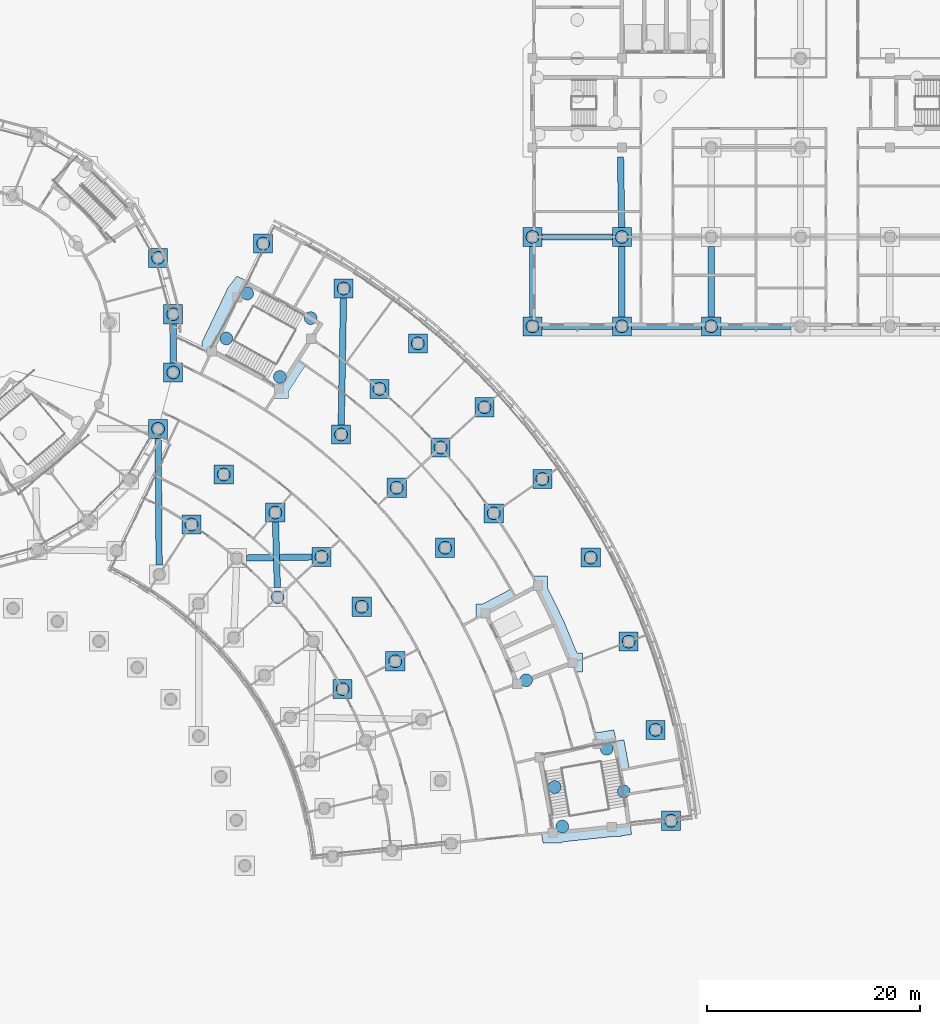
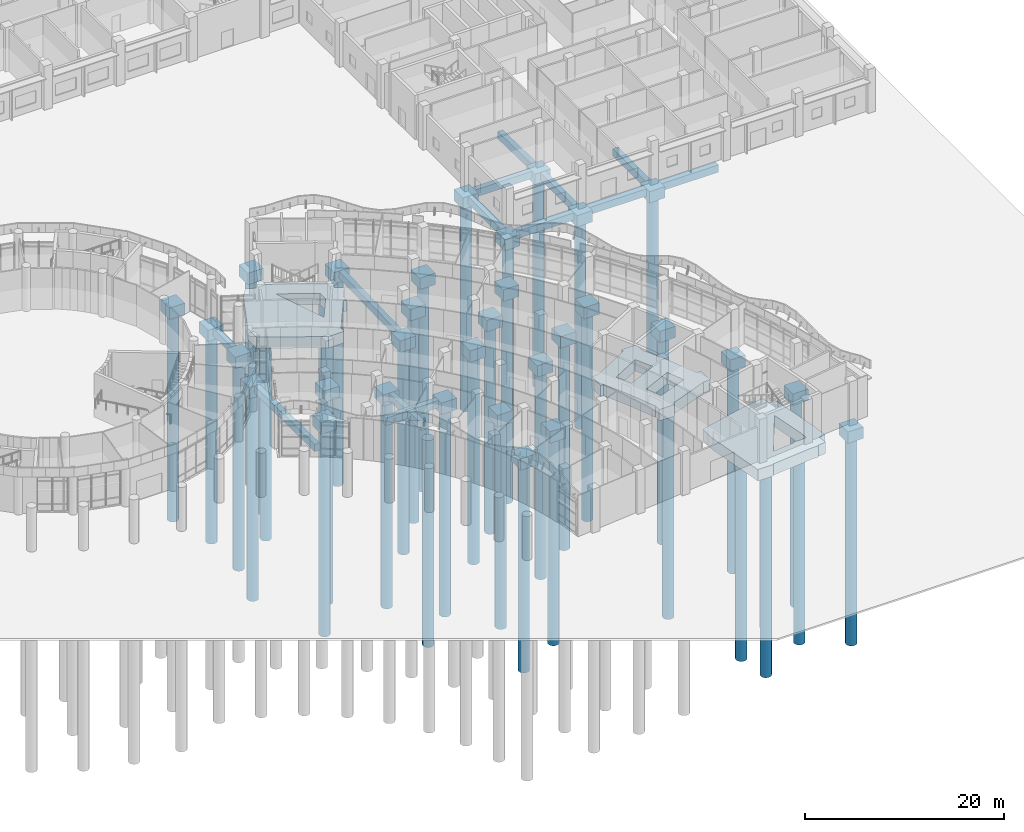
# One storey, part 7 of 146: 47 footings, 41 piles.
"""IFC4 building model written with IfcOpenShell, lengths in metres."""

import ifcopenshell
import ifcopenshell.guid

model = None  # the IFC model being written
_history = None  # IfcOwnerHistory: only IFC2X3 demands one
_inside = {}  # id of a spatial element -> (the spatial element, [elements in it])
_under = {}  # id of a project, library or spatial element -> (it, [spatial elements below it])
_declared = {}  # id of a project -> (the project, [libraries it declares])
_typed = {}  # id of a type object -> (the type object, [elements of that type])
_made_of = {}  # id of a material, layer set ... -> (it, [elements and type objects made of it])


def new_model(schema):
    """Start an empty IFC model of exactly this schema.

    Asked for "IFC4X3", IfcOpenShell would pick the latest addendum, in which some entities
    have other attributes; the version numbers below select the first issue.
    IFC2X3 requires an IfcOwnerHistory on every rooted entity: one is made here for all.
    """
    global model, _history
    if schema == "IFC4X3":
        model = ifcopenshell.file(schema_version=(4, 3, 0, 0))
    else:
        model = ifcopenshell.file(schema=schema)
    _inside.clear()
    _under.clear()
    _declared.clear()
    _typed.clear()
    _made_of.clear()
    _history = None
    if model.schema == "IFC2X3":
        org = make("IfcOrganization", Name="unknown")
        user = make(
            "IfcPersonAndOrganization",
            ThePerson=make("IfcPerson", FamilyName="unknown"),
            TheOrganization=org,
        )
        app = make(
            "IfcApplication",
            ApplicationDeveloper=org,
            Version="unknown",
            ApplicationFullName="unknown",
            ApplicationIdentifier="unknown",
        )
        _history = make(
            "IfcOwnerHistory",
            OwningUser=user,
            OwningApplication=app,
            ChangeAction="ADDED",
            CreationDate=0,
        )
    return model


def make(cls, **values):
    """One entity of the class cls with the attributes given. An attribute that is None is left unset."""
    return model.create_entity(
        cls, **{name: value for name, value in values.items() if value is not None}
    )


def rooted(cls, **values):
    """An entity with a GlobalId (a new one), such as an element, a storey or a relation."""
    return make(cls, GlobalId=ifcopenshell.guid.new(), OwnerHistory=_history, **values)


def si_unit(unit_type, name, prefix=None):
    """IfcSIUnit, for example si_unit("LENGTHUNIT", "METRE", prefix="MILLI")."""
    return make("IfcSIUnit", UnitType=unit_type, Prefix=prefix, Name=name)


def assignment(units):
    """IfcUnitAssignment: the units of a project."""
    return None if units is None else make("IfcUnitAssignment", Units=units)


def point(xyz):
    """IfcCartesianPoint."""
    return None if xyz is None else make("IfcCartesianPoint", Coordinates=xyz)


def direction(xyz):
    """IfcDirection."""
    return None if xyz is None else make("IfcDirection", DirectionRatios=xyz)


def frame(location, z_axis=None, x_axis=None):
    """IfcAxis2Placement3D, a coordinate frame: its origin and axes. An axis left out is left unset."""
    return make(
        "IfcAxis2Placement3D",
        Location=point(location),
        Axis=direction(z_axis),
        RefDirection=direction(x_axis),
    )


def frame_2d(location, x_axis=None):
    """IfcAxis2Placement2D, a coordinate frame in the plane: its origin and x axis."""
    return make(
        "IfcAxis2Placement2D", Location=point(location), RefDirection=direction(x_axis)
    )


def origin():
    """The frame at (0, 0, 0) with its axes left unset."""
    return frame((0.0, 0.0, 0.0))


def origin_2d():
    """The frame at (0, 0) in the plane with its x axis left unset."""
    return frame_2d((0.0, 0.0))


def place(relative_to, where):
    """IfcLocalPlacement: puts the frame where relative to a parent placement (None: the world)."""
    return make(
        "IfcLocalPlacement", PlacementRelTo=relative_to, RelativePlacement=where
    )


def context(
    kind, dimensions, precision=None, world=None, true_north=None, identifier=None
):
    """IfcGeometricRepresentationContext, for example the 3D "Model" context."""
    return make(
        "IfcGeometricRepresentationContext",
        ContextIdentifier=identifier,
        ContextType=kind,
        CoordinateSpaceDimension=dimensions,
        Precision=precision,
        WorldCoordinateSystem=world,
        TrueNorth=true_north,
    )


def subcontext(parent, identifier, kind, view, scale=None):
    """IfcGeometricRepresentationSubContext, for example "Body" below "Model"."""
    return make(
        "IfcGeometricRepresentationSubContext",
        ContextIdentifier=identifier,
        ContextType=kind,
        ParentContext=parent,
        TargetScale=scale,
        TargetView=view,
    )


def project(units=None, contexts=None):
    """IfcProject with its units and contexts."""
    return rooted(
        "IfcProject",
        Name="project",
        RepresentationContexts=contexts,
        UnitsInContext=assignment(units),
    )


def spatial(cls, under=None, at=None, **own):
    """A site, building, storey or space (cls), placed at a placement, below another one or the project."""
    s = rooted(cls, ObjectPlacement=at, **own)
    if under is not None:
        _under.setdefault(under.id(), (under, []))[1].append(s)
    return s


def polyline(points):
    """IfcPolyline through the points."""
    return make("IfcPolyline", Points=[point(p) for p in points])


def profile(cls, at=None, kind="AREA", **sizes):
    """A parametric profile (cls). Its sizes go by their IFC names, for example OverallWidth=200.0."""
    return make(cls, ProfileType=kind, Position=at, **sizes)


def rectangle(**sizes):
    """IfcRectangleProfileDef."""
    return profile("IfcRectangleProfileDef", **sizes)


def circle(**sizes):
    """IfcCircleProfileDef."""
    return profile("IfcCircleProfileDef", **sizes)


def outline(outer, holes=None, kind="AREA"):
    """IfcArbitraryClosedProfileDef: a profile drawn as a closed curve; with holes, ...WithVoids."""
    if holes is None:
        return make("IfcArbitraryClosedProfileDef", ProfileType=kind, OuterCurve=outer)
    return make(
        "IfcArbitraryProfileDefWithVoids",
        ProfileType=kind,
        OuterCurve=outer,
        InnerCurves=holes,
    )


def extrude(swept, where, along, depth):
    """IfcExtrudedAreaSolid: the profile swept, set in the frame where, extruded along a direction by depth."""
    return make(
        "IfcExtrudedAreaSolid",
        SweptArea=swept,
        Position=where,
        ExtrudedDirection=direction(along),
        Depth=depth,
    )


def shape(context_of_items, identifier, shape_type, items):
    """IfcShapeRepresentation: the items that make up one representation, for example the "Body"."""
    return make(
        "IfcShapeRepresentation",
        ContextOfItems=context_of_items,
        RepresentationIdentifier=identifier,
        RepresentationType=shape_type,
        Items=items,
    )


def material(Name=None, Category=None):
    """IfcMaterial."""
    return make("IfcMaterial", Name=Name, Category=Category)


def material_profile(
    of_material, cross_section, Name=None, Category=None, Priority=None
):
    """IfcMaterialProfile: a cross section and its material."""
    return make(
        "IfcMaterialProfile",
        Name=Name,
        Material=of_material,
        Profile=cross_section,
        Priority=Priority,
        Category=Category,
    )


def profile_set(profiles, Name=None, composite=None):
    """IfcMaterialProfileSet."""
    return make(
        "IfcMaterialProfileSet",
        Name=Name,
        MaterialProfiles=profiles,
        CompositeProfile=composite,
    )


def made_of(thing, what):
    """Note that an element or type object is made of a material, layer set ...; save() writes the relation."""
    if what is not None:
        _made_of.setdefault(what.id(), (what, []))[1].append(thing)
    return thing


def type_object(cls, material=None, **own):
    """A type object (cls), such as IfcWallType, which elements share."""
    return made_of(rooted(cls, **own), material)


def element(
    cls,
    number,
    at=None,
    inside=None,
    cuts=None,
    type_object=None,
    material=None,
    context=None,
    identifier="Body",
    shape_type=None,
    held_by="IfcProductDefinitionShape",
    body=None,
    shapes=None,
    **own,
):
    """One element of the class cls, such as IfcWall. Its Tag is "e" and its number.

    at: its placement. inside: the storey or other place that contains it. cuts: it is an
    opening in that element (IfcRelVoidsElement). A single representation is given by context,
    identifier, shape_type and body (its items); several are given by shapes. held_by: the class
    of the entity that holds the representations. save() writes the other relations.
    """
    e = rooted(cls, Tag="e%d" % number, ObjectPlacement=at, **own)
    if body is not None:
        shapes = [shape(context, identifier, shape_type, body)]
    if shapes is not None:
        e.Representation = make(held_by, Representations=shapes)
    if inside is not None:
        _inside.setdefault(inside.id(), (inside, []))[1].append(e)
    if cuts is not None:
        rooted(
            "IfcRelVoidsElement", RelatingBuildingElement=cuts, RelatedOpeningElement=e
        )
    if type_object is not None:
        _typed.setdefault(type_object.id(), (type_object, []))[1].append(e)
    return made_of(e, material)


def aggregate(whole, parts):
    """IfcRelAggregates: a whole, such as a stair, and the parts it consists of."""
    return rooted("IfcRelAggregates", RelatingObject=whole, RelatedObjects=parts)


def save(model, path):
    """Write the relations noted so far, then the file.

    IfcRelAggregates (storeys below a building ...), IfcRelContainedInSpatialStructure (elements
    in a storey), IfcRelDefinesByType, IfcRelAssociatesMaterial and IfcRelDeclares: one each for
    every whole, place, type object, material and project.
    """
    for whole, parts in _under.values():
        aggregate(whole, parts)
    for where, things in _inside.values():
        rooted(
            "IfcRelContainedInSpatialStructure",
            RelatedElements=things,
            RelatingStructure=where,
        )
    for kind, things in _typed.values():
        rooted("IfcRelDefinesByType", RelatedObjects=things, RelatingType=kind)
    for what, things in _made_of.values():
        rooted("IfcRelAssociatesMaterial", RelatedObjects=things, RelatingMaterial=what)
    for by, libraries in _declared.values():
        rooted("IfcRelDeclares", RelatingContext=by, RelatedDefinitions=libraries)
    model.write(path)


model = new_model("IFC4")

# Units and contexts
model_context = context("Model", 3, precision=1e-05, world=origin(), true_north=direction((0.0, 1.0)))
body_context = subcontext(model_context, "Body", "Model", "MODEL_VIEW")
ifc_project = project(units=[si_unit("LENGTHUNIT", "METRE"), si_unit("AREAUNIT", "SQUARE_METRE"), si_unit("VOLUMEUNIT", "CUBIC_METRE"), si_unit("PLANEANGLEUNIT", "RADIAN"), si_unit("MASSUNIT", "GRAM", prefix="KILO")], contexts=[model_context])

# Site, building, storey
site_placement = place(None, origin())
site = spatial("IfcSite", under=ifc_project, at=site_placement, CompositionType="ELEMENT")
building_placement = place(site_placement, origin())
building = spatial("IfcBuilding", under=site, at=building_placement, Name="Bougainvillea Quay General Hospital", CompositionType="ELEMENT")
storey_placement = place(building_placement, origin())
storey = spatial("IfcBuildingStorey", under=building, at=storey_placement, Name="L00", CompositionType="ELEMENT", Elevation=0.0)

# Piles
ifc_material_1 = material(Name="Concrete C40", Category="concrete")
ifc_material_profile_1 = material_profile(ifc_material_1, circle(Radius=0.60009765625, at=origin_2d()))
ifc_profile_set_1 = profile_set([ifc_material_profile_1], Name="Concrete C40")
pile_type = type_object("IfcPileType", Name="BORED PILE D1200 C40", PredefinedType="BORED", material=ifc_profile_set_1)
for number, where, z_axis, x_axis, name in (
    (1, (176.826904296875, 29.113037109375, -1.60009765625), (0.0, 0.0, -1.0), (1.0, 0.0, 0.0), "Bored pile 005-01"),
    (2, (166.599365234375, 28.573974609375, -1.60009765625), (0.0, 0.0, -1.0), (1.0, 0.0, 0.0), "Bored pile 009-01"),
    (3, (172.386962890625, 31.87841796875, -1.60009765625), (0.0, 0.0, -1.0), (1.0, 0.0, 0.0), "Bored pile 009-02"),
    (4, (165.885009765625, 32.2890625, -1.60009765625), (0.0, 0.0, -1.0), (1.0, 0.0, 0.0), "Bored pile 009-03"),
    (5, (170.775390625, 35.883056640625, -1.60009765625), (0.0, 0.0, -1.0), (1.0, 0.0, 0.0), "Bored pile 009-04"),
    (6, (175.3720703125, 37.662109375, -1.60009765625), (0.0, 0.0, -1.0), (1.0, 0.0, 0.0), "Bored pile 021-01"),
    (7, (145.950927734375, 41.491943359375, -1.60009765625), (0.0, 0.0, -1.0), (1.0, 0.0, 0.0), "Bored pile 025-01"),
    (8, (150.89794921875, 44.114990234375, -1.60009765625), (0.0, 0.0, -1.0), (1.0, 0.0, 0.0), "Bored pile 034-01"),
    (9, (172.840087890625, 45.9560546875, -1.60009765625), (0.0, 0.0, -1.0), (1.0, 0.0, 0.0), "Bored pile 035-01"),
    (10, (163.200439453125, 42.328125, -1.60009765625), (0.0, 0.0, -1.0), (1.0, 0.0, 0.0), "Bored pile 039-01"),
    (11, (147.7451171875, 49.242919921875, -1.60009765625), (0.0, 0.0, -1.0), (1.0, 0.0, 0.0), "Bored pile 045-01"),
    (12, (139.839111328125, 50.138916015625, -1.60009765625), (0.0, 0.0, -1.0), (1.0, 0.0, 0.0), "Bored pile 047-01"),
    (13, (169.27392578125, 53.861083984375, -1.60009765625), (0.0, 0.0, -1.0), (1.0, 0.0, 0.0), "Bored pile 056-01"),
    (14, (143.964111328125, 53.927001953125, -1.60009765625), (0.0, 0.0, -1.0), (1.0, 0.0, 0.0), "Bored pile 057-01"),
    (15, (155.583984375, 54.782958984375, -1.60009765625), (0.0, 0.0, -1.0), (1.0, 0.0, 0.0), "Bored pile 064-01"),
    (16, (131.741943359375, 56.962890625, -1.60009765625), (0.0, 0.0, -1.0), (1.0, 0.0, 0.0), "Bored pile 065-01"),
    (17, (160.156982421875, 58.01611328125, -1.60009765625), (0.0, 0.0, -1.0), (1.0, 0.0, 0.0), "Bored pile 067-01"),
    (18, (139.617919921875, 58.092041015625, -1.60009765625), (0.0, 0.0, -1.0), (1.0, 0.0, 0.0), "Bored pile 068-01"),
    (19, (151.033935546875, 60.419921875, -1.60009765625), (0.0, 0.0, -1.0), (1.0, 0.0, 0.0), "Bored pile 074-01"),
    (20, (164.72998046875, 61.248046875, -1.60009765625), (0.0, 0.0, -1.0), (1.0, 0.0, 0.0), "Bored pile 077-01"),
    (21, (134.777099609375, 61.6689453125, -1.60009765625), (0.0, 0.0, -1.0), (1.0, 0.0, 0.0), "Bored pile 078-01"),
    (22, (155.158935546875, 64.2080078125, -1.60009765625), (0.0, 0.0, -1.0), (1.0, 0.0, 0.0), "Bored pile 080-01"),
    (23, (145.803955078125, 65.431884765625, -1.60009765625), (0.0, 0.0, -1.0), (1.0, 0.0, 0.0), "Bored pile 082-01"),
    (24, (128.60107421875, 65.964111328125, -1.60009765625), (0.0, 0.0, -1.0), (1.0, 0.0, 0.0), "Bored pile 084-01"),
    (25, (159.283935546875, 67.99609375, -1.60009765625), (0.0, 0.0, -1.0), (1.0, 0.0, 0.0), "Bored pile 092-01"),
    (26, (149.4130859375, 69.714111328125, -1.60009765625), (0.0, 0.0, -1.0), (1.0, 0.0, 0.0), "Bored pile 093-01"),
    (27, (130.02001953125, 71.259033203125, -1.60009765625), (0.0, 0.0, -1.0), (1.0, 0.0, 0.0), "Bored pile 095-01"),
    (28, (153.02197265625, 73.99609375, -1.60009765625), (0.0, 0.0, -1.0), (1.0, 0.0, 0.0), "Bored pile 099-01"),
    (29, (140.05712890625, 70.844482421875, -1.60009765625), (0.0, 0.0, -1.0), (1.0, 0.0, 0.0), "Bored pile 100-01"),
    (30, (135.01611328125, 74.462646484375, -1.60009765625), (0.0, 0.0, -1.0), (1.0, 0.0, 0.0), "Bored pile 100-02"),
    (31, (142.942138671875, 76.373291015625, -1.60009765625), (0.0, 0.0, -1.0), (1.0, 0.0, 0.0), "Bored pile 100-03"),
    (32, (136.97998046875, 78.679443359375, -1.60009765625), (0.0, 0.0, -1.0), (1.0, 0.0, 0.0), "Bored pile 100-04"),
    (33, (163.800048828125, 75.60009765625, -1.60009765625), (0.0, 0.0, -1.0), (1.0, 0.0, 0.0), "Bored pile 107-01"),
    (34, (172.199951171875, 75.60009765625, -1.60009765625), (0.0, 0.0, -1.0), (1.0, 0.0, 0.0), "Bored pile 108-01"),
    (35, (180.60009765625, 75.60009765625, -1.60009765625), (0.0, 0.0, -1.0), (1.0, 0.0, 0.0), "Bored pile 109-01"),
    (36, (130.02001953125, 76.740966796875, -1.60009765625), (0.0, 0.0, -1.0), (1.0, 0.0, 0.0), "Bored pile 117-01"),
    (37, (146.048095703125, 79.15087890625, -1.60009765625), (0.0, 0.0, -1.0), (1.0, 0.0, 0.0), "Bored pile 118-01"),
    (38, (128.60107421875, 82.035888671875, -1.60009765625), (0.0, 0.0, -1.0), (1.0, 0.0, 0.0), "Bored pile 123-01"),
    (39, (138.47509765625, 83.3759765625, -1.60009765625), (0.0, 0.0, -1.0), (1.0, 0.0, 0.0), "Bored pile 124-01"),
    (40, (163.800048828125, 84.0, -1.60009765625), (0.0, 0.0, -1.0), (1.0, 0.0, 0.0), "Bored pile 125-01"),
    (41, (172.199951171875, 84.0, -1.60009765625), (0.0, 0.0, -1.0), (1.0, 0.0, 0.0), "Bored pile 126-01"),
):
    element("IfcPile", number, at=place(storey_placement, frame(where, z_axis=z_axis, x_axis=x_axis)), inside=storey, type_object=pile_type, Name=name, PredefinedType="BORED", context=body_context, shape_type="SweptSolid", body=[
        extrude(circle(Radius=0.60009765625, at=origin_2d()), origin(), (0.0, 0.0, 1.0), 25.39990234375),
    ])

# Footings
ifc_material_2 = material(Name="Concrete C35", Category="concrete")
footing_type_1 = type_object("IfcFootingType", Name="PILE CAP 1P D1200 1800x1800x1400", PredefinedType="PILE_CAP", material=ifc_material_2)
footing_1_placement = place(storey_placement, frame((0.0, 0.0, -1.699951171875)))
element("IfcFooting", 42, at=footing_1_placement, inside=storey, type_object=footing_type_1, Name="Pile cap PC1 005", PredefinedType="PILE_CAP", context=body_context, shape_type="SweptSolid", body=[
    extrude(outline(polyline([(175.927001953125, 28.212890625), (177.72705078125, 28.212890625), (177.72705078125, 30.012939453125), (175.927001953125, 30.012939453125), (175.927001953125, 28.212890625)])), origin(), (0.0, 0.0, 1.0), 1.39990234375),
])
footing_2_placement = place(storey_placement, frame((0.0, 0.0, -1.699951171875)))
element("IfcFooting", 43, at=footing_2_placement, inside=storey, type_object=footing_type_1, Name="Pile cap PC1 021", PredefinedType="PILE_CAP", context=body_context, shape_type="SweptSolid", body=[
    extrude(outline(polyline([(174.471923828125, 36.761962890625), (176.27197265625, 36.761962890625), (176.27197265625, 38.56201171875), (174.471923828125, 38.56201171875), (174.471923828125, 36.761962890625)])), origin(), (0.0, 0.0, 1.0), 1.39990234375),
])
footing_3_placement = place(storey_placement, frame((0.0, 0.0, -1.699951171875)))
element("IfcFooting", 44, at=footing_3_placement, inside=storey, type_object=footing_type_1, Name="Pile cap PC1 025", PredefinedType="PILE_CAP", context=body_context, shape_type="SweptSolid", body=[
    extrude(outline(polyline([(145.051025390625, 40.592041015625), (146.85107421875, 40.592041015625), (146.85107421875, 42.39208984375), (145.051025390625, 42.39208984375), (145.051025390625, 40.592041015625)])), origin(), (0.0, 0.0, 1.0), 1.39990234375),
])
footing_4_placement = place(storey_placement, frame((0.0, 0.0, -1.699951171875)))
element("IfcFooting", 45, at=footing_4_placement, inside=storey, type_object=footing_type_1, Name="Pile cap PC1 034", PredefinedType="PILE_CAP", context=body_context, shape_type="SweptSolid", body=[
    extrude(outline(polyline([(149.998046875, 43.215087890625), (151.798095703125, 43.215087890625), (151.798095703125, 45.014892578125), (149.998046875, 45.014892578125), (149.998046875, 43.215087890625)])), origin(), (0.0, 0.0, 1.0), 1.39990234375),
])
footing_5_placement = place(storey_placement, frame((0.0, 0.0, -1.699951171875)))
element("IfcFooting", 46, at=footing_5_placement, inside=storey, type_object=footing_type_1, Name="Pile cap PC1 035", PredefinedType="PILE_CAP", context=body_context, shape_type="SweptSolid", body=[
    extrude(outline(polyline([(171.93994140625, 45.055908203125), (173.739990234375, 45.055908203125), (173.739990234375, 46.85595703125), (171.93994140625, 46.85595703125), (171.93994140625, 45.055908203125)])), origin(), (0.0, 0.0, 1.0), 1.39990234375),
])
footing_6_placement = place(storey_placement, frame((0.0, 0.0, -1.699951171875)))
element("IfcFooting", 47, at=footing_6_placement, inside=storey, type_object=footing_type_1, Name="Pile cap PC1 045", PredefinedType="PILE_CAP", context=body_context, shape_type="SweptSolid", body=[
    extrude(outline(polyline([(146.844970703125, 48.343017578125), (148.64501953125, 48.343017578125), (148.64501953125, 50.14306640625), (146.844970703125, 50.14306640625), (146.844970703125, 48.343017578125)])), origin(), (0.0, 0.0, 1.0), 1.39990234375),
])
footing_7_placement = place(storey_placement, frame((0.0, 0.0, -1.699951171875)))
element("IfcFooting", 48, at=footing_7_placement, inside=storey, type_object=footing_type_1, Name="Pile cap PC1 056", PredefinedType="PILE_CAP", context=body_context, shape_type="SweptSolid", body=[
    extrude(outline(polyline([(168.3740234375, 52.9609375), (170.174072265625, 52.9609375), (170.174072265625, 54.760986328125), (168.3740234375, 54.760986328125), (168.3740234375, 52.9609375)])), origin(), (0.0, 0.0, 1.0), 1.39990234375),
])
footing_8_placement = place(storey_placement, frame((0.0, 0.0, -1.699951171875)))
element("IfcFooting", 49, at=footing_8_placement, inside=storey, type_object=footing_type_1, Name="Pile cap PC1 057", PredefinedType="PILE_CAP", context=body_context, shape_type="SweptSolid", body=[
    extrude(outline(polyline([(143.06396484375, 53.027099609375), (144.864013671875, 53.027099609375), (144.864013671875, 54.826904296875), (143.06396484375, 54.826904296875), (143.06396484375, 53.027099609375)])), origin(), (0.0, 0.0, 1.0), 1.39990234375),
])
footing_9_placement = place(storey_placement, frame((0.0, 0.0, -1.699951171875)))
element("IfcFooting", 50, at=footing_9_placement, inside=storey, type_object=footing_type_1, Name="Pile cap PC1 064", PredefinedType="PILE_CAP", context=body_context, shape_type="SweptSolid", body=[
    extrude(outline(polyline([(154.68408203125, 53.883056640625), (156.48388671875, 53.883056640625), (156.48388671875, 55.68310546875), (154.68408203125, 55.68310546875), (154.68408203125, 53.883056640625)])), origin(), (0.0, 0.0, 1.0), 1.39990234375),
])
footing_10_placement = place(storey_placement, frame((0.0, 0.0, -1.699951171875)))
element("IfcFooting", 51, at=footing_10_placement, inside=storey, type_object=footing_type_1, Name="Pile cap PC1 065", PredefinedType="PILE_CAP", context=body_context, shape_type="SweptSolid", body=[
    extrude(outline(polyline([(130.842041015625, 56.06298828125), (132.64208984375, 56.06298828125), (132.64208984375, 57.863037109375), (130.842041015625, 57.863037109375), (130.842041015625, 56.06298828125)])), origin(), (0.0, 0.0, 1.0), 1.39990234375),
])
footing_11_placement = place(storey_placement, frame((0.0, 0.0, -1.699951171875)))
element("IfcFooting", 52, at=footing_11_placement, inside=storey, type_object=footing_type_1, Name="Pile cap PC1 067", PredefinedType="PILE_CAP", context=body_context, shape_type="SweptSolid", body=[
    extrude(outline(polyline([(159.257080078125, 57.115966796875), (161.056884765625, 57.115966796875), (161.056884765625, 58.916015625), (159.257080078125, 58.916015625), (159.257080078125, 57.115966796875)])), origin(), (0.0, 0.0, 1.0), 1.39990234375),
])
footing_12_placement = place(storey_placement, frame((0.0, 0.0, -1.699951171875)))
element("IfcFooting", 53, at=footing_12_placement, inside=storey, type_object=footing_type_1, Name="Pile cap PC1 068", PredefinedType="PILE_CAP", context=body_context, shape_type="SweptSolid", body=[
    extrude(outline(polyline([(138.718017578125, 57.19189453125), (140.51806640625, 57.19189453125), (140.51806640625, 58.991943359375), (138.718017578125, 58.991943359375), (138.718017578125, 57.19189453125)])), origin(), (0.0, 0.0, 1.0), 1.39990234375),
])
footing_13_placement = place(storey_placement, frame((0.0, 0.0, -1.699951171875)))
element("IfcFooting", 54, at=footing_13_placement, inside=storey, type_object=footing_type_1, Name="Pile cap PC1 074", PredefinedType="PILE_CAP", context=body_context, shape_type="SweptSolid", body=[
    extrude(outline(polyline([(150.134033203125, 59.52001953125), (151.93408203125, 59.52001953125), (151.93408203125, 61.320068359375), (150.134033203125, 61.320068359375), (150.134033203125, 59.52001953125)])), origin(), (0.0, 0.0, 1.0), 1.39990234375),
])
footing_14_placement = place(storey_placement, frame((0.0, 0.0, -1.699951171875)))
element("IfcFooting", 55, at=footing_14_placement, inside=storey, type_object=footing_type_1, Name="Pile cap PC1 077", PredefinedType="PILE_CAP", context=body_context, shape_type="SweptSolid", body=[
    extrude(outline(polyline([(163.830078125, 60.347900390625), (165.6298828125, 60.347900390625), (165.6298828125, 62.14794921875), (163.830078125, 62.14794921875), (163.830078125, 60.347900390625)])), origin(), (0.0, 0.0, 1.0), 1.39990234375),
])
footing_15_placement = place(storey_placement, frame((0.0, 0.0, -1.699951171875)))
element("IfcFooting", 56, at=footing_15_placement, inside=storey, type_object=footing_type_1, Name="Pile cap PC1 078", PredefinedType="PILE_CAP", context=body_context, shape_type="SweptSolid", body=[
    extrude(outline(polyline([(133.876953125, 60.76904296875), (135.677001953125, 60.76904296875), (135.677001953125, 62.569091796875), (133.876953125, 62.569091796875), (133.876953125, 60.76904296875)])), origin(), (0.0, 0.0, 1.0), 1.39990234375),
])
footing_16_placement = place(storey_placement, frame((0.0, 0.0, -1.699951171875)))
element("IfcFooting", 57, at=footing_16_placement, inside=storey, type_object=footing_type_1, Name="Pile cap PC1 080", PredefinedType="PILE_CAP", context=body_context, shape_type="SweptSolid", body=[
    extrude(outline(polyline([(154.259033203125, 63.30810546875), (156.05908203125, 63.30810546875), (156.05908203125, 65.10791015625), (154.259033203125, 65.10791015625), (154.259033203125, 63.30810546875)])), origin(), (0.0, 0.0, 1.0), 1.39990234375),
])
footing_17_placement = place(storey_placement, frame((0.0, 0.0, -1.699951171875)))
element("IfcFooting", 58, at=footing_17_placement, inside=storey, type_object=footing_type_1, Name="Pile cap PC1 082", PredefinedType="PILE_CAP", context=body_context, shape_type="SweptSolid", body=[
    extrude(outline(polyline([(144.904052734375, 64.531982421875), (146.7041015625, 64.531982421875), (146.7041015625, 66.33203125), (144.904052734375, 66.33203125), (144.904052734375, 64.531982421875)])), origin(), (0.0, 0.0, 1.0), 1.39990234375),
])
footing_18_placement = place(storey_placement, frame((0.0, 0.0, -1.699951171875)))
element("IfcFooting", 59, at=footing_18_placement, inside=storey, type_object=footing_type_1, Name="Pile cap PC1 084", PredefinedType="PILE_CAP", context=body_context, shape_type="SweptSolid", body=[
    extrude(outline(polyline([(127.700927734375, 65.06396484375), (129.5009765625, 65.06396484375), (129.5009765625, 66.864013671875), (127.700927734375, 66.864013671875), (127.700927734375, 65.06396484375)])), origin(), (0.0, 0.0, 1.0), 1.39990234375),
])
footing_19_placement = place(storey_placement, frame((0.0, 0.0, -1.699951171875)))
element("IfcFooting", 60, at=footing_19_placement, inside=storey, type_object=footing_type_1, Name="Pile cap PC1 092", PredefinedType="PILE_CAP", context=body_context, shape_type="SweptSolid", body=[
    extrude(outline(polyline([(158.384033203125, 67.095947265625), (160.18408203125, 67.095947265625), (160.18408203125, 68.89599609375), (158.384033203125, 68.89599609375), (158.384033203125, 67.095947265625)])), origin(), (0.0, 0.0, 1.0), 1.39990234375),
])
footing_20_placement = place(storey_placement, frame((0.0, 0.0, -1.699951171875)))
element("IfcFooting", 61, at=footing_20_placement, inside=storey, type_object=footing_type_1, Name="Pile cap PC1 093", PredefinedType="PILE_CAP", context=body_context, shape_type="SweptSolid", body=[
    extrude(outline(polyline([(148.512939453125, 68.81396484375), (150.31298828125, 68.81396484375), (150.31298828125, 70.614013671875), (148.512939453125, 70.614013671875), (148.512939453125, 68.81396484375)])), origin(), (0.0, 0.0, 1.0), 1.39990234375),
])
footing_21_placement = place(storey_placement, frame((0.0, 0.0, -1.699951171875)))
element("IfcFooting", 62, at=footing_21_placement, inside=storey, type_object=footing_type_1, Name="Pile cap PC1 095", PredefinedType="PILE_CAP", context=body_context, shape_type="SweptSolid", body=[
    extrude(outline(polyline([(129.1201171875, 70.35888671875), (130.919921875, 70.35888671875), (130.919921875, 72.158935546875), (129.1201171875, 72.158935546875), (129.1201171875, 70.35888671875)])), origin(), (0.0, 0.0, 1.0), 1.39990234375),
])
footing_22_placement = place(storey_placement, frame((0.0, 0.0, -1.699951171875)))
element("IfcFooting", 63, at=footing_22_placement, inside=storey, type_object=footing_type_1, Name="Pile cap PC1 099", PredefinedType="PILE_CAP", context=body_context, shape_type="SweptSolid", body=[
    extrude(outline(polyline([(152.1220703125, 73.095947265625), (153.922119140625, 73.095947265625), (153.922119140625, 74.89599609375), (152.1220703125, 74.89599609375), (152.1220703125, 73.095947265625)])), origin(), (0.0, 0.0, 1.0), 1.39990234375),
])
footing_23_placement = place(storey_placement, frame((0.0, 0.0, -1.699951171875)))
element("IfcFooting", 64, at=footing_23_placement, inside=storey, type_object=footing_type_1, Name="Pile cap PC1 107", PredefinedType="PILE_CAP", context=body_context, shape_type="SweptSolid", body=[
    extrude(outline(polyline([(162.89990234375, 74.699951171875), (164.699951171875, 74.699951171875), (164.699951171875, 76.5), (162.89990234375, 76.5), (162.89990234375, 74.699951171875)])), origin(), (0.0, 0.0, 1.0), 1.39990234375),
])
footing_24_placement = place(storey_placement, frame((0.0, 0.0, -1.699951171875)))
element("IfcFooting", 65, at=footing_24_placement, inside=storey, type_object=footing_type_1, Name="Pile cap PC1 108", PredefinedType="PILE_CAP", context=body_context, shape_type="SweptSolid", body=[
    extrude(outline(polyline([(171.300048828125, 74.699951171875), (173.10009765625, 74.699951171875), (173.10009765625, 76.5), (171.300048828125, 76.5), (171.300048828125, 74.699951171875)])), origin(), (0.0, 0.0, 1.0), 1.39990234375),
])
footing_25_placement = place(storey_placement, frame((0.0, 0.0, -1.699951171875)))
element("IfcFooting", 66, at=footing_25_placement, inside=storey, type_object=footing_type_1, Name="Pile cap PC1 109", PredefinedType="PILE_CAP", context=body_context, shape_type="SweptSolid", body=[
    extrude(outline(polyline([(179.699951171875, 74.699951171875), (181.5, 74.699951171875), (181.5, 76.5), (179.699951171875, 76.5), (179.699951171875, 74.699951171875)])), origin(), (0.0, 0.0, 1.0), 1.39990234375),
])
footing_26_placement = place(storey_placement, frame((0.0, 0.0, -1.699951171875)))
element("IfcFooting", 67, at=footing_26_placement, inside=storey, type_object=footing_type_1, Name="Pile cap PC1 117", PredefinedType="PILE_CAP", context=body_context, shape_type="SweptSolid", body=[
    extrude(outline(polyline([(129.1201171875, 75.841064453125), (130.919921875, 75.841064453125), (130.919921875, 77.64111328125), (129.1201171875, 77.64111328125), (129.1201171875, 75.841064453125)])), origin(), (0.0, 0.0, 1.0), 1.39990234375),
])
footing_27_placement = place(storey_placement, frame((0.0, 0.0, -1.699951171875)))
element("IfcFooting", 68, at=footing_27_placement, inside=storey, type_object=footing_type_1, Name="Pile cap PC1 118", PredefinedType="PILE_CAP", context=body_context, shape_type="SweptSolid", body=[
    extrude(outline(polyline([(145.14794921875, 78.2509765625), (146.947998046875, 78.2509765625), (146.947998046875, 80.051025390625), (145.14794921875, 80.051025390625), (145.14794921875, 78.2509765625)])), origin(), (0.0, 0.0, 1.0), 1.39990234375),
])
footing_28_placement = place(storey_placement, frame((0.0, 0.0, -1.699951171875)))
element("IfcFooting", 69, at=footing_28_placement, inside=storey, type_object=footing_type_1, Name="Pile cap PC1 123", PredefinedType="PILE_CAP", context=body_context, shape_type="SweptSolid", body=[
    extrude(outline(polyline([(127.700927734375, 81.135986328125), (129.5009765625, 81.135986328125), (129.5009765625, 82.93603515625), (127.700927734375, 82.93603515625), (127.700927734375, 81.135986328125)])), origin(), (0.0, 0.0, 1.0), 1.39990234375),
])
footing_29_placement = place(storey_placement, frame((0.0, 0.0, -1.699951171875)))
element("IfcFooting", 70, at=footing_29_placement, inside=storey, type_object=footing_type_1, Name="Pile cap PC1 124", PredefinedType="PILE_CAP", context=body_context, shape_type="SweptSolid", body=[
    extrude(outline(polyline([(137.574951171875, 82.47607421875), (139.375, 82.47607421875), (139.375, 84.27587890625), (137.574951171875, 84.27587890625), (137.574951171875, 82.47607421875)])), origin(), (0.0, 0.0, 1.0), 1.39990234375),
])
footing_30_placement = place(storey_placement, frame((0.0, 0.0, -1.699951171875)))
element("IfcFooting", 71, at=footing_30_placement, inside=storey, type_object=footing_type_1, Name="Pile cap PC1 125", PredefinedType="PILE_CAP", context=body_context, shape_type="SweptSolid", body=[
    extrude(outline(polyline([(162.89990234375, 83.10009765625), (164.699951171875, 83.10009765625), (164.699951171875, 84.89990234375), (162.89990234375, 84.89990234375), (162.89990234375, 83.10009765625)])), origin(), (0.0, 0.0, 1.0), 1.39990234375),
])
footing_31_placement = place(storey_placement, frame((0.0, 0.0, -1.699951171875)))
element("IfcFooting", 72, at=footing_31_placement, inside=storey, type_object=footing_type_1, Name="Pile cap PC1 126", PredefinedType="PILE_CAP", context=body_context, shape_type="SweptSolid", body=[
    extrude(outline(polyline([(171.300048828125, 83.10009765625), (173.10009765625, 83.10009765625), (173.10009765625, 84.89990234375), (171.300048828125, 84.89990234375), (171.300048828125, 83.10009765625)])), origin(), (0.0, 0.0, 1.0), 1.39990234375),
])
footing_type_2 = type_object("IfcFootingType", Name="PILE CAP RAFT 1P D1200 5428", PredefinedType="PILE_CAP", material=ifc_material_2)
footing_32_placement = place(storey_placement, frame((0.0, 0.0, -1.699951171875)))
element("IfcFooting", 73, at=footing_32_placement, inside=storey, type_object=footing_type_2, Name="Pile cap PC3 039", PredefinedType="PILE_CAP", context=body_context, shape_type="SweptSolid", body=[
    extrude(outline(polyline([(162.509765625, 41.111083984375), (161.4580078125, 41.111083984375), (161.4580078125, 41.832275390625), (160.1533203125, 44.98974609375), (158.81787109375, 47.712890625), (158.47900390625, 47.712890625), (158.47900390625, 49.512939453125), (159.155029296875, 49.512939453125), (163.427001953125, 51.779296875), (163.427001953125, 52.136962890625), (165.22705078125, 52.136962890625), (165.22705078125, 50.9912109375), (166.716796875, 47.9501953125), (167.98486328125, 44.883056640625), (168.4990234375, 44.883056640625), (168.4990234375, 43.0830078125), (167.76171875, 43.0830078125), (163.258056640625, 41.38818359375), (163.258056640625, 41.111083984375), (162.521728515625, 41.111083984375), (162.51123046875, 41.10693359375), (162.509765625, 41.111083984375)]), holes=[polyline([(165.419189453125, 46.377685546875), (162.138671875, 44.89794921875), (162.85693359375, 43.160400390625), (166.22509765625, 44.427978515625), (165.419189453125, 46.377685546875)]), polyline([(161.3984375, 46.538818359375), (164.678955078125, 48.018310546875), (163.750732421875, 49.913330078125), (160.57080078125, 48.2265625), (161.3984375, 46.538818359375)])]), origin(), (0.0, 0.0, 1.0), 1.39990234375),
])
footing_type_3 = type_object("IfcFootingType", Name="PILE CAP RAFT 4P D1200 7617", PredefinedType="PILE_CAP", material=ifc_material_2)
footing_33_placement = place(storey_placement, frame((0.0, 0.0, -1.699951171875)))
element("IfcFooting", 74, at=footing_33_placement, inside=storey, type_object=footing_type_3, Name="Pile cap PC2 009", PredefinedType="PILE_CAP", context=body_context, shape_type="SweptSolid", body=[
    extrude(outline(polyline([(164.7880859375, 27.041015625), (163.572998046875, 34.181884765625), (163.572998046875, 35.98193359375), (169.02197265625, 37.27197265625), (171.44189453125, 37.6572265625), (171.691650390625, 36.602783203125), (172.395751953125, 36.734130859375), (173.492919921875, 30.85791015625), (173.492919921875, 30.85791015625), (173.492919921875, 30.85791015625), (173.721435546875, 28.97607421875), (173.00439453125, 28.88916015625), (173.1171875, 27.817138671875), (172.157958984375, 27.71630859375), (172.157958984375, 27.626953125), (171.30810546875, 27.626953125), (166.644775390625, 27.13671875), (166.587890625, 27.041015625), (164.7880859375, 27.041015625)]), holes=[polyline([(167.792236328125, 29.067138671875), (170.35791015625, 29.3369140625), (170.35791015625, 29.427001953125), (171.213623046875, 29.427001953125), (171.845458984375, 29.493408203125), (171.713134765625, 30.583984375), (170.9912109375, 34.449462890625), (167.792236328125, 29.067138671875)])]), origin(), (0.0, 0.0, 1.0), 1.39990234375),
])
footing_type_4 = type_object("IfcFootingType", Name="PILE CAP RAFT 4P D1200 7837", PredefinedType="PILE_CAP", material=ifc_material_2)
footing_34_placement = place(storey_placement, frame((0.0, 0.0, -1.699951171875)))
element("IfcFooting", 75, at=footing_34_placement, inside=storey, type_object=footing_type_4, Name="Pile cap PC10 100", PredefinedType="PILE_CAP", context=body_context, shape_type="SweptSolid", body=[
    extrude(outline(polyline([(142.59814453125, 77.647216796875), (144.2080078125, 76.6455078125), (143.826416015625, 76.032470703125), (144.732177734375, 75.4482421875), (143.9140625, 74.179443359375), (143.9140625, 73.5439453125), (143.504150390625, 73.5439453125), (140.87890625, 69.472900390625), (140.87890625, 68.837890625), (139.0791015625, 68.837890625), (132.7529296875, 72.366943359375), (132.7529296875, 74.1669921875), (135.1640625, 79.220947265625), (136.01611328125, 80.310546875), (136.994140625, 79.843994140625), (137.3330078125, 80.47509765625), (142.59814453125, 77.647216796875)]), holes=[polyline([(138.214599609375, 77.95849609375), (140.377197265625, 72.016357421875), (142.114013671875, 74.70947265625), (142.114013671875, 75.82861328125), (141.69580078125, 76.088623046875), (138.214599609375, 77.95849609375)])]), origin(), (0.0, 0.0, 1.0), 1.39990234375),
])
ifc_material_profile_2 = material_profile(ifc_material_2, rectangle(XDim=0.60009765625, YDim=0.89990234375, at=origin_2d()))
ifc_profile_set_2 = profile_set([ifc_material_profile_2], Name="Concrete C35")
footing_type_5 = type_object("IfcFootingType", Name="RC GROUND BEAM 600x900 C35", PredefinedType="FOOTING_BEAM", material=ifc_profile_set_2)
footing_35_placement = place(storey_placement, frame((0.0, 0.0, -1.199951171875)))
element("IfcFooting", 76, at=footing_35_placement, inside=storey, type_object=footing_type_5, Name="Ground beam 045", PredefinedType="FOOTING_BEAM", context=body_context, shape_type="SweptSolid", body=[
    extrude(outline(polyline([(139.51416015625, 51.03076171875), (139.343017578125, 57.18359375), (139.94287109375, 57.200439453125), (140.11376953125, 51.04736328125), (139.51416015625, 51.03076171875)])), origin(), (0.0, 0.0, 1.0), 0.89990234375),
])
footing_36_placement = place(storey_placement, frame((0.0, 0.0, -1.199951171875)))
element("IfcFooting", 77, at=footing_36_placement, inside=storey, type_object=footing_type_5, Name="Ground beam 053", PredefinedType="FOOTING_BEAM", context=body_context, shape_type="SweptSolid", body=[
    extrude(outline(polyline([(128.40087890625, 53.153564453125), (128.30810546875, 65.061767578125), (128.907958984375, 65.06640625), (129.0009765625, 53.158447265625), (128.40087890625, 53.153564453125)])), origin(), (0.0, 0.0, 1.0), 0.89990234375),
])
footing_37_placement = place(storey_placement, frame((0.0, 0.0, -1.199951171875)))
element("IfcFooting", 78, at=footing_37_placement, inside=storey, type_object=footing_type_5, Name="Ground beam 057", PredefinedType="FOOTING_BEAM", context=body_context, shape_type="SweptSolid", body=[
    extrude(outline(polyline([(136.904541015625, 54.123291015625), (143.0595703125, 54.213623046875), (143.068359375, 53.61376953125), (136.913330078125, 53.523193359375), (136.904541015625, 54.123291015625)])), origin(), (0.0, 0.0, 1.0), 0.89990234375),
])
footing_38_placement = place(storey_placement, frame((0.0, 0.0, -1.199951171875)))
element("IfcFooting", 79, at=footing_38_placement, inside=storey, type_object=footing_type_5, Name="Ground beam 084", PredefinedType="FOOTING_BEAM", context=body_context, shape_type="SweptSolid", body=[
    extrude(outline(polyline([(145.52001953125, 66.33740234375), (145.73193359375, 78.25634765625), (146.33203125, 78.24560546875), (146.119873046875, 66.32666015625), (145.52001953125, 66.33740234375)])), origin(), (0.0, 0.0, 1.0), 0.89990234375),
])
footing_39_placement = place(storey_placement, frame((0.0, 0.0, -1.199951171875)))
element("IfcFooting", 80, at=footing_39_placement, inside=storey, type_object=footing_type_5, Name="Ground beam 103", PredefinedType="FOOTING_BEAM", context=body_context, shape_type="SweptSolid", body=[
    extrude(outline(polyline([(129.719970703125, 72.158935546875), (129.719970703125, 75.841064453125), (130.320068359375, 75.841064453125), (130.320068359375, 72.158935546875), (129.719970703125, 72.158935546875)])), origin(), (0.0, 0.0, 1.0), 0.89990234375),
])
footing_40_placement = place(storey_placement, frame((0.0, 0.0, -1.199951171875)))
element("IfcFooting", 81, at=footing_40_placement, inside=storey, type_object=footing_type_5, Name="Ground beam 116", PredefinedType="FOOTING_BEAM", context=body_context, shape_type="SweptSolid", body=[
    extrude(outline(polyline([(164.699951171875, 75.89990234375), (171.300048828125, 75.89990234375), (171.300048828125, 75.300048828125), (164.699951171875, 75.300048828125), (164.699951171875, 75.89990234375)])), origin(), (0.0, 0.0, 1.0), 0.89990234375),
])
footing_41_placement = place(storey_placement, frame((0.0, 0.0, -1.199951171875)))
element("IfcFooting", 82, at=footing_41_placement, inside=storey, type_object=footing_type_5, Name="Ground beam 117", PredefinedType="FOOTING_BEAM", context=body_context, shape_type="SweptSolid", body=[
    extrude(outline(polyline([(163.5, 76.5), (163.5, 83.10009765625), (164.10009765625, 83.10009765625), (164.10009765625, 76.5), (163.5, 76.5)])), origin(), (0.0, 0.0, 1.0), 0.89990234375),
])
footing_42_placement = place(storey_placement, frame((0.0, 0.0, -1.199951171875)))
element("IfcFooting", 83, at=footing_42_placement, inside=storey, type_object=footing_type_5, Name="Ground beam 118", PredefinedType="FOOTING_BEAM", context=body_context, shape_type="SweptSolid", body=[
    extrude(outline(polyline([(173.10009765625, 75.89990234375), (179.699951171875, 75.89990234375), (179.699951171875, 75.300048828125), (173.10009765625, 75.300048828125), (173.10009765625, 75.89990234375)])), origin(), (0.0, 0.0, 1.0), 0.89990234375),
])
footing_43_placement = place(storey_placement, frame((0.0, 0.0, -1.199951171875)))
element("IfcFooting", 84, at=footing_43_placement, inside=storey, type_object=footing_type_5, Name="Ground beam 119", PredefinedType="FOOTING_BEAM", context=body_context, shape_type="SweptSolid", body=[
    extrude(outline(polyline([(171.89990234375, 76.5), (171.89990234375, 83.10009765625), (172.5, 83.10009765625), (172.5, 76.5), (171.89990234375, 76.5)])), origin(), (0.0, 0.0, 1.0), 0.89990234375),
])
footing_44_placement = place(storey_placement, frame((0.0, 0.0, -1.199951171875)))
element("IfcFooting", 85, at=footing_44_placement, inside=storey, type_object=footing_type_5, Name="Ground beam 120", PredefinedType="FOOTING_BEAM", context=body_context, shape_type="SweptSolid", body=[
    extrude(outline(polyline([(181.5, 75.89990234375), (188.10009765625, 75.89990234375), (188.10009765625, 75.300048828125), (181.5, 75.300048828125), (181.5, 75.89990234375)])), origin(), (0.0, 0.0, 1.0), 0.89990234375),
])
footing_45_placement = place(storey_placement, frame((0.0, 0.0, -1.199951171875)))
element("IfcFooting", 86, at=footing_45_placement, inside=storey, type_object=footing_type_5, Name="Ground beam 121", PredefinedType="FOOTING_BEAM", context=body_context, shape_type="SweptSolid", body=[
    extrude(outline(polyline([(180.300048828125, 76.5), (180.300048828125, 83.10009765625), (180.89990234375, 83.10009765625), (180.89990234375, 76.5), (180.300048828125, 76.5)])), origin(), (0.0, 0.0, 1.0), 0.89990234375),
])
footing_46_placement = place(storey_placement, frame((0.0, 0.0, -1.199951171875)))
element("IfcFooting", 87, at=footing_46_placement, inside=storey, type_object=footing_type_5, Name="Ground beam 134", PredefinedType="FOOTING_BEAM", context=body_context, shape_type="SweptSolid", body=[
    extrude(outline(polyline([(164.699951171875, 84.300048828125), (171.300048828125, 84.300048828125), (171.300048828125, 83.699951171875), (164.699951171875, 83.699951171875), (164.699951171875, 84.300048828125)])), origin(), (0.0, 0.0, 1.0), 0.89990234375),
])
footing_47_placement = place(storey_placement, frame((0.0, 0.0, -1.199951171875)))
element("IfcFooting", 88, at=footing_47_placement, inside=storey, type_object=footing_type_5, Name="Ground beam 137", PredefinedType="FOOTING_BEAM", context=body_context, shape_type="SweptSolid", body=[
    extrude(outline(polyline([(171.88525390625, 84.89501953125), (171.77587890625, 91.4951171875), (172.375732421875, 91.5048828125), (172.485107421875, 84.905029296875), (171.88525390625, 84.89501953125)])), origin(), (0.0, 0.0, 1.0), 0.89990234375),
])

save(model, "model.ifc")
